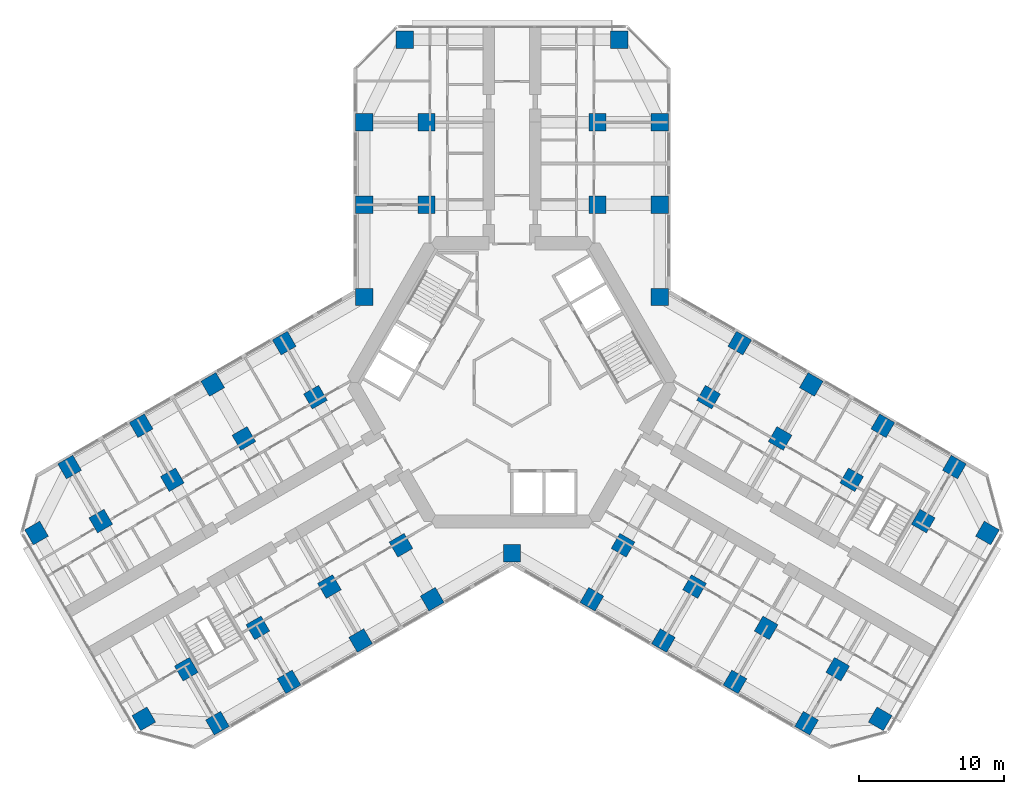
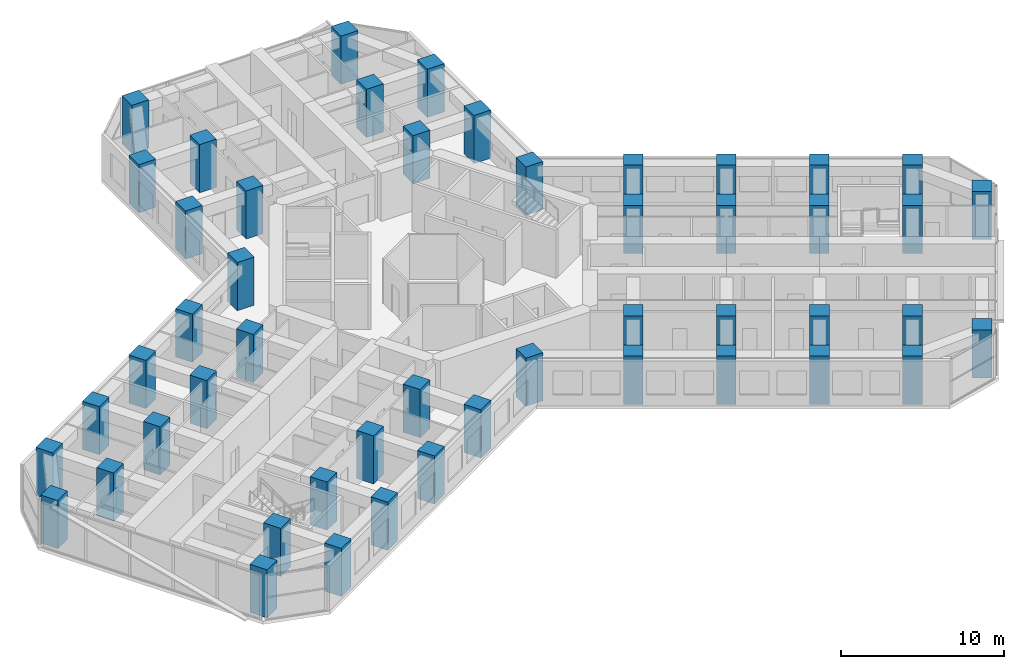
# One storey, part 1 of 20: 49 columns.
"""IFC4 building model written with IfcOpenShell, lengths in metres."""

from ifc_helpers import new_model, si_unit, direction, frame, origin, origin_2d, place, context, subcontext, project, spatial, rectangle, extrude, material, material_profile, profile_set, type_object, element, save


model = new_model("IFC4")

# Units and contexts
model_context = context("Model", 3, precision=1e-05, world=origin(), true_north=direction((0.0, 1.0)))
body_context = subcontext(model_context, "Body", "Model", "MODEL_VIEW")
ifc_project = project(units=[si_unit("LENGTHUNIT", "METRE"), si_unit("AREAUNIT", "SQUARE_METRE"), si_unit("VOLUMEUNIT", "CUBIC_METRE"), si_unit("PLANEANGLEUNIT", "RADIAN"), si_unit("MASSUNIT", "GRAM", prefix="KILO")], contexts=[model_context])

# Site, building, storey
site_placement = place(None, origin())
site = spatial("IfcSite", under=ifc_project, at=site_placement, CompositionType="ELEMENT")
building_placement = place(site_placement, origin())
building = spatial("IfcBuilding", under=site, at=building_placement, Name="Kosmar Iwan School Tower", CompositionType="ELEMENT")
storey_placement = place(building_placement, frame((0.0, 0.0, 127.39990234375)))
storey = spatial("IfcBuildingStorey", under=building, at=storey_placement, Name="L31", CompositionType="ELEMENT", Elevation=127.39990234375)

# Columns
ifc_material_1 = material(Name="Concrete C50/60", Category="concrete")
ifc_material_profile_1 = material_profile(ifc_material_1, rectangle(XDim=1.199951171875, YDim=1.199951171875, at=origin_2d()), Name="RC 1200x1200 + HD 400x634")
ifc_profile_set_1 = profile_set([ifc_material_profile_1], Name="Concrete C50/60")
column_type_1 = type_object("IfcColumnType", Name="Composite column 1200x1200 HD 400x634", PredefinedType="COLUMN", material=ifc_profile_set_1)
for number, where, z_axis, x_axis, name in (
    (1, (-10.199951171875, 12.25, 0.0), (0.0, 0.0, 1.0), (0.0, 1.0, 0.0), "Column AL1 L31"),
    (2, (-10.199951171875, 17.949951171875, 0.0), (0.0, 0.0, 1.0), (0.0, 1.0, 0.0), "Column AL2 L31"),
    (3, (-7.39990234375, 23.64990234375, 0.0), (0.0, 0.0, 1.0), (0.0, 1.0, 0.0), "Column ALTIP L31"),
    (4, (10.199951171875, 12.25, 0.0), (0.0, 0.0, 1.0), (0.0, 1.0, 0.0), "Column AR1 L31"),
    (5, (10.199951171875, 17.949951171875, 0.0), (0.0, 0.0, 1.0), (0.0, 1.0, 0.0), "Column AR2 L31"),
    (6, (7.39990234375, 23.64990234375, 0.0), (0.0, 0.0, 1.0), (0.0, 1.0, 0.0), "Column ARTIP L31"),
    (7, (-5.5087890625, -14.95849609375, 0.0), (0.0, 0.0, 1.0), (-0.866025403784, -0.5, 0.0), "Column BL1 L31"),
    (8, (-10.445068359375, -17.808349609375, 0.0), (0.0, 0.0, 1.0), (-0.866025403784, -0.5, 0.0), "Column BL2 L31"),
    (9, (-15.381591796875, -20.658447265625, 0.0), (0.0, 0.0, 1.0), (-0.866025403784, -0.5, 0.0), "Column BL3 L31"),
    (10, (-20.31787109375, -23.508544921875, 0.0), (0.0, 0.0, 1.0), (-0.866025403784, -0.5, 0.0), "Column BL4 L31"),
    (11, (-25.3984375, -23.20849609375, 0.0), (0.0, 0.0, 1.0), (-0.866025403784, -0.5, 0.0), "Column BLTIP L31"),
    (12, (-15.708740234375, 2.70849609375, 0.0), (0.0, 0.0, 1.0), (-0.866025403784, -0.5, 0.0), "Column BR1 L31"),
    (13, (-20.645263671875, -0.1416015625, 0.0), (0.0, 0.0, 1.0), (-0.866025403784, -0.5, 0.0), "Column BR2 L31"),
    (14, (-25.58154296875, -2.991455078125, 0.0), (0.0, 0.0, 1.0), (-0.866025403784, -0.5, 0.0), "Column BR3 L31"),
    (15, (-30.517822265625, -5.841552734375, 0.0), (0.0, 0.0, 1.0), (-0.866025403784, -0.5, 0.0), "Column BR4 L31"),
    (16, (-32.79833984375, -10.391357421875, 0.0), (0.0, 0.0, 1.0), (-0.866025403784, -0.5, 0.0), "Column BRTIP L31"),
    (17, (15.708740234375, 2.70849609375, 0.0), (0.0, 0.0, 1.0), (0.866025403784, -0.5, 0.0), "Column CL1 L31"),
    (18, (20.645263671875, -0.1416015625, 0.0), (0.0, 0.0, 1.0), (0.866025403784, -0.5, 0.0), "Column CL2 L31"),
    (19, (25.58154296875, -2.991455078125, 0.0), (0.0, 0.0, 1.0), (0.866025403784, -0.5, 0.0), "Column CL3 L31"),
    (20, (30.517822265625, -5.841552734375, 0.0), (0.0, 0.0, 1.0), (0.866025403784, -0.5, 0.0), "Column CL4 L31"),
    (21, (32.79833984375, -10.391357421875, 0.0), (0.0, 0.0, 1.0), (0.866025403784, -0.5, 0.0), "Column CLTIP L31"),
    (22, (5.5087890625, -14.95849609375, 0.0), (0.0, 0.0, 1.0), (0.866025403784, -0.5, 0.0), "Column CR1 L31"),
    (23, (10.445068359375, -17.808349609375, 0.0), (0.0, 0.0, 1.0), (0.866025403784, -0.5, 0.0), "Column CR2 L31"),
    (24, (15.381591796875, -20.658447265625, 0.0), (0.0, 0.0, 1.0), (0.866025403784, -0.5, 0.0), "Column CR3 L31"),
    (25, (20.31787109375, -23.508544921875, 0.0), (0.0, 0.0, 1.0), (0.866025403784, -0.5, 0.0), "Column CR4 L31"),
    (26, (25.3984375, -23.20849609375, 0.0), (0.0, 0.0, 1.0), (0.866025403784, -0.5, 0.0), "Column CRTIP L31"),
    (27, (-10.199951171875, 5.888916015625, 0.0), (0.0, 0.0, 1.0), (1.0, 0.0, 0.0), "Column RAB L31"),
    (28, (10.199951171875, 5.888916015625, 0.0), (0.0, 0.0, 1.0), (1.0, 0.0, 0.0), "Column RAC L31"),
    (29, (0.0, -11.77783203125, 0.0), (0.0, 0.0, 1.0), (1.0, 0.0, 0.0), "Column RBC L31"),
):
    element("IfcColumn", number, at=place(storey_placement, frame(where, z_axis=z_axis, x_axis=x_axis)), inside=storey, type_object=column_type_1, Name=name, PredefinedType="COLUMN", context=body_context, shape_type="SweptSolid", body=[
        extrude(rectangle(XDim=1.199951171875, YDim=1.199951171875, at=origin_2d()), origin(), (0.0, 0.0, 1.0), 3.60009765625),
    ])
ifc_material_2 = material(Name="Concrete C50/60", Category="concrete")
ifc_material_profile_2 = material_profile(ifc_material_2, rectangle(XDim=1.199951171875, YDim=1.199951171875, at=origin_2d()), Name="RC 1200x1200")
ifc_profile_set_2 = profile_set([ifc_material_profile_2], Name="Concrete C50/60")
column_type_2 = type_object("IfcColumnType", Name="RC interior column 1200x1200", PredefinedType="COLUMN", material=ifc_profile_set_2)
for number, where, z_axis, x_axis, name in (
    (30, (-5.89990234375, 12.25, 0.0), (0.0, 0.0, 1.0), (0.0, 1.0, 0.0), "Interior column ALI1 L31"),
    (31, (-5.89990234375, 17.949951171875, 0.0), (0.0, 0.0, 1.0), (0.0, 1.0, 0.0), "Interior column ALI2 L31"),
    (32, (5.89990234375, 12.25, 0.0), (0.0, 0.0, 1.0), (0.0, 1.0, 0.0), "Interior column ARI1 L31"),
    (33, (5.89990234375, 17.949951171875, 0.0), (0.0, 0.0, 1.0), (0.0, 1.0, 0.0), "Interior column ARI2 L31"),
    (34, (-7.65869140625, -11.234619140625, 0.0), (0.0, 0.0, 1.0), (-0.866025403784, -0.5, 0.0), "Interior column BLI1 L31"),
    (35, (-12.59521484375, -14.08447265625, 0.0), (0.0, 0.0, 1.0), (-0.866025403784, -0.5, 0.0), "Interior column BLI2 L31"),
    (36, (-17.531494140625, -16.9345703125, 0.0), (0.0, 0.0, 1.0), (-0.866025403784, -0.5, 0.0), "Interior column BLI3 L31"),
    (37, (-22.4677734375, -19.78466796875, 0.0), (0.0, 0.0, 1.0), (-0.866025403784, -0.5, 0.0), "Interior column BLI4 L31"),
    (38, (-13.558837890625, -1.015380859375, 0.0), (0.0, 0.0, 1.0), (-0.866025403784, -0.5, 0.0), "Interior column BRI1 L31"),
    (39, (-18.4951171875, -3.865478515625, 0.0), (0.0, 0.0, 1.0), (-0.866025403784, -0.5, 0.0), "Interior column BRI2 L31"),
    (40, (-23.431396484375, -6.71533203125, 0.0), (0.0, 0.0, 1.0), (-0.866025403784, -0.5, 0.0), "Interior column BRI3 L31"),
    (41, (-28.367919921875, -9.5654296875, 0.0), (0.0, 0.0, 1.0), (-0.866025403784, -0.5, 0.0), "Interior column BRI4 L31"),
    (42, (13.558837890625, -1.015380859375, 0.0), (0.0, 0.0, 1.0), (0.866025403784, -0.5, 0.0), "Interior column CLI1 L31"),
    (43, (18.4951171875, -3.865478515625, 0.0), (0.0, 0.0, 1.0), (0.866025403784, -0.5, 0.0), "Interior column CLI2 L31"),
    (44, (23.431396484375, -6.71533203125, 0.0), (0.0, 0.0, 1.0), (0.866025403784, -0.5, 0.0), "Interior column CLI3 L31"),
    (45, (28.367919921875, -9.5654296875, 0.0), (0.0, 0.0, 1.0), (0.866025403784, -0.5, 0.0), "Interior column CLI4 L31"),
    (46, (7.65869140625, -11.234619140625, 0.0), (0.0, 0.0, 1.0), (0.866025403784, -0.5, 0.0), "Interior column CRI1 L31"),
    (47, (12.59521484375, -14.08447265625, 0.0), (0.0, 0.0, 1.0), (0.866025403784, -0.5, 0.0), "Interior column CRI2 L31"),
    (48, (17.531494140625, -16.9345703125, 0.0), (0.0, 0.0, 1.0), (0.866025403784, -0.5, 0.0), "Interior column CRI3 L31"),
    (49, (22.4677734375, -19.78466796875, 0.0), (0.0, 0.0, 1.0), (0.866025403784, -0.5, 0.0), "Interior column CRI4 L31"),
):
    element("IfcColumn", number, at=place(storey_placement, frame(where, z_axis=z_axis, x_axis=x_axis)), inside=storey, type_object=column_type_2, Name=name, PredefinedType="COLUMN", context=body_context, shape_type="SweptSolid", body=[
        extrude(rectangle(XDim=1.199951171875, YDim=1.199951171875, at=origin_2d()), origin(), (0.0, 0.0, 1.0), 3.60009765625),
    ])

save(model, "model.ifc")
